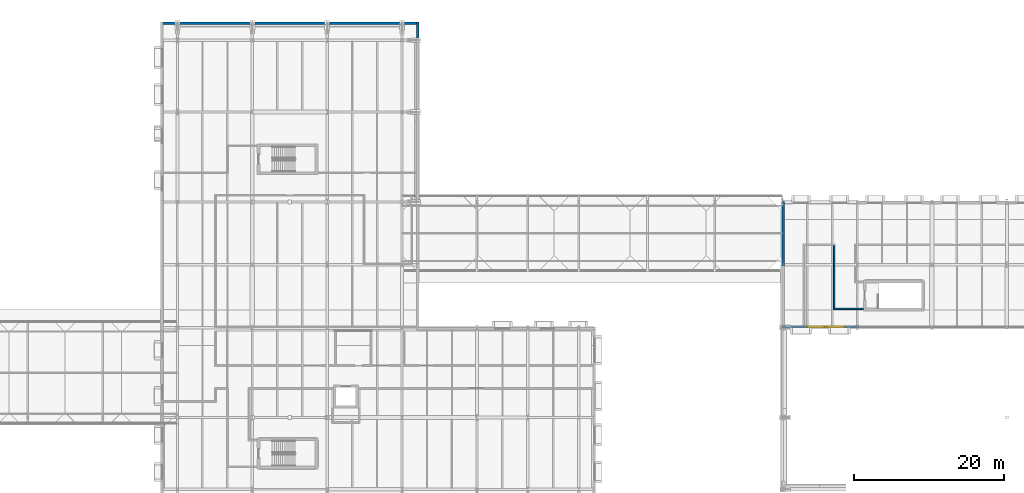
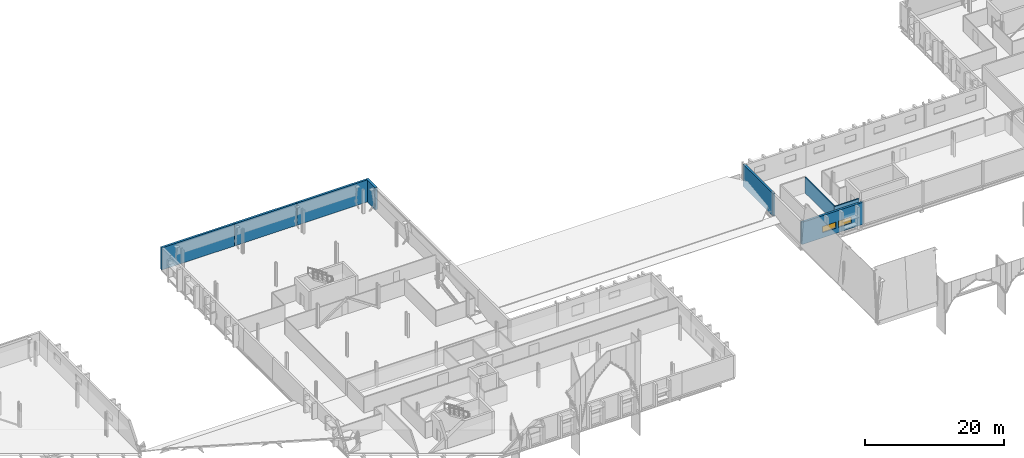
# One storey, part 67 of 90: 8 walls, 2 windows, 2 openings.
"""IFC4 building model written with IfcOpenShell, lengths in metres."""

from ifc_helpers import new_model, si_unit, direction, frame, frame_2d, origin, place, context, subcontext, project, spatial, rectangle, extrude, material, layer, layer_set, type_object, element, fill, save


model = new_model("IFC4")

# Units and contexts
model_context = context("Model", 3, precision=1e-05, world=origin(), true_north=direction((0.0, 1.0)))
body_context = subcontext(model_context, "Body", "Model", "MODEL_VIEW")
ifc_project = project(units=[si_unit("LENGTHUNIT", "METRE"), si_unit("AREAUNIT", "SQUARE_METRE"), si_unit("VOLUMEUNIT", "CUBIC_METRE"), si_unit("PLANEANGLEUNIT", "RADIAN"), si_unit("MASSUNIT", "GRAM", prefix="KILO")], contexts=[model_context])

# Site, building, storey
site_placement = place(None, origin())
site = spatial("IfcSite", under=ifc_project, at=site_placement, CompositionType="ELEMENT")
building_placement = place(site_placement, origin())
building = spatial("IfcBuilding", under=site, at=building_placement, Name="Zereglee Splitstone Museum", CompositionType="ELEMENT")
storey_placement = place(building_placement, frame((0.0, 0.0, 4.800048828125)))
storey = spatial("IfcBuildingStorey", under=building, at=storey_placement, Name="L01", CompositionType="ELEMENT", Elevation=4.800048828125)

# Walls
ifc_material_1 = material(Name="Precast concrete C40/50", Category="concrete")
ifc_layer_1 = layer(ifc_material_1, 0.35009765625)
ifc_layer_set_1 = layer_set([ifc_layer_1], Name="Precast concrete C40/50")
wall_type_1 = type_object("IfcWallType", Name="EW-01", PredefinedType="STANDARD", material=ifc_layer_set_1)
wall_1_placement = place(storey_placement, frame((207.280029296875, 59.820068359375, 0.0), z_axis=(0.0, 0.0, 1.0), x_axis=(0.0, 1.0, 0.0)))
element("IfcWall", 1, at=wall_1_placement, inside=storey, type_object=wall_type_1, Name="Exterior Backup Wall RC4-EW-L01-0034", PredefinedType="STANDARD", context=body_context, shape_type="SweptSolid", body=[
    extrude(rectangle(XDim=2.639892578125, YDim=0.35009765625, at=frame_2d((1.31982421875, 0.0))), origin(), (0.0, 0.0, 1.0), 3.89990234375),
])
wall_2_placement = place(storey_placement, frame((207.4599609375, 62.280029296875, 0.0), z_axis=(0.0, 0.0, 1.0), x_axis=(-1.0, 0.0, 0.0)))
element("IfcWall", 2, at=wall_2_placement, inside=storey, type_object=wall_type_1, Name="Exterior Backup Wall RC4-EW-L01-0035", PredefinedType="STANDARD", context=body_context, shape_type="SweptSolid", body=[
    extrude(rectangle(XDim=12.43994140625, YDim=0.35009765625, at=frame_2d((6.219970703125, 0.0))), origin(), (0.0, 0.0, 1.0), 3.89990234375),
])
wall_3_placement = place(storey_placement, frame((195.3798828125, 62.280029296875, 0.0), z_axis=(0.0, 0.0, 1.0), x_axis=(-1.0, 0.0, 0.0)))
element("IfcWall", 3, at=wall_3_placement, inside=storey, type_object=wall_type_1, Name="Exterior Backup Wall RC4-EW-L01-0036", PredefinedType="STANDARD", context=body_context, shape_type="SweptSolid", body=[
    extrude(rectangle(XDim=10.35986328125, YDim=0.35009765625, at=frame_2d((5.179931640625, 0.0))), origin(), (0.0, 0.0, 1.0), 3.89990234375),
])
wall_4_placement = place(storey_placement, frame((185.3798828125, 62.280029296875, 0.0), z_axis=(0.0, 0.0, 1.0), x_axis=(-1.0, 0.0, 0.0)))
element("IfcWall", 4, at=wall_4_placement, inside=storey, type_object=wall_type_1, Name="Exterior Backup Wall RC4-EW-L01-0037", PredefinedType="STANDARD", context=body_context, shape_type="SweptSolid", body=[
    extrude(rectangle(XDim=12.43994140625, YDim=0.35009765625, at=frame_2d((6.219970703125, 0.0))), origin(), (0.0, 0.0, 1.0), 3.89990234375),
])
wall_5_placement = place(storey_placement, frame((256.1201171875, 38.4599609375, 0.0), z_axis=(0.0, 0.0, 1.0), x_axis=(0.0, -1.0, 0.0)))
element("IfcWall", 5, at=wall_5_placement, inside=storey, type_object=wall_type_1, Name="Exterior Backup Wall RC4-EW-L01-0090", PredefinedType="STANDARD", context=body_context, shape_type="SweptSolid", body=[
    extrude(rectangle(XDim=8.639892578125, YDim=0.35009765625, at=frame_2d((4.31982421875, 0.0))), origin(), (0.0, 0.0, 1.0), 3.89990234375),
])

# Wall, openings, windows
wall_6_placement = place(storey_placement, frame((255.93994140625, 21.719970703125, 0.0), z_axis=(0.0, 0.0, 1.0), x_axis=(1.0, 0.0, 0.0)))
wall_6 = element("IfcWall", 6, at=wall_6_placement, inside=storey, type_object=wall_type_1, Name="Exterior Backup Wall RC4-EW-L01-0092", PredefinedType="STANDARD", context=body_context, shape_type="SweptSolid", body=[
    extrude(rectangle(XDim=10.239990234375, YDim=0.35009765625, at=frame_2d((5.1201171875, 0.0))), origin(), (0.0, 0.0, 1.0), 3.89990234375),
])
opening_1_placement = place(wall_6_placement, frame((3.4599609375, 0.0, 0.89990234375)))
opening_1 = element("IfcOpeningElement", 7, at=opening_1_placement, cuts=wall_6, Name="Opening EW-W13", PredefinedType="OPENING", context=body_context, shape_type="SweptSolid", body=[
    extrude(rectangle(XDim=2.199951171875, YDim=1.10009765625, at=frame_2d((1.10009765625, 0.550048828125))), frame((0.0, 0.18994140625, 0.0), z_axis=(0.0, -1.0, 0.0), x_axis=(1.0, 0.0, 0.0)), (0.0, 0.0, 1.0), 0.3798828125),
])
opening_2_placement = place(wall_6_placement, frame((6.080078125, 0.0, 0.89990234375)))
opening_2 = element("IfcOpeningElement", 8, at=opening_2_placement, cuts=wall_6, Name="Opening EW-W13", PredefinedType="OPENING", context=body_context, shape_type="SweptSolid", body=[
    extrude(rectangle(XDim=2.199951171875, YDim=1.10009765625, at=frame_2d((1.10009765625, 0.550048828125))), frame((0.0, 0.18994140625, 0.0), z_axis=(0.0, -1.0, 0.0), x_axis=(1.0, 0.0, 0.0)), (0.0, 0.0, 1.0), 0.3798828125),
])
ifc_material_2 = material(Name="Thermally broken aluminium frame with triple low-e glazing", Category="aluminium")
window_type = type_object("IfcWindowType", Name="EW-W13", PartitioningType="DOUBLE_PANEL_HORIZONTAL", PredefinedType="WINDOW", material=ifc_material_2)
window_1_placement = place(opening_1_placement, origin())
window_1 = element("IfcWindow", 9, at=window_1_placement, inside=storey, type_object=window_type, Name="Mughal Deep-Reveal Gallery Window L01-0050", OverallHeight=1.10009765625, OverallWidth=2.199951171875, PartitioningType="SINGLE_PANEL", PredefinedType="WINDOW", context=body_context, shape_type="SweptSolid", body=[
    extrude(rectangle(XDim=2.199951171875, YDim=1.10009765625, at=frame_2d((1.10009765625, 0.550048828125))), frame((0.0, 0.030029296875, 0.0), z_axis=(0.0, -1.0, 0.0), x_axis=(1.0, 0.0, 0.0)), (0.0, 0.0, 1.0), 0.06005859375),
])
fill(opening_1, window_1)
window_2_placement = place(opening_2_placement, origin())
window_2 = element("IfcWindow", 10, at=window_2_placement, inside=storey, type_object=window_type, Name="Mughal Deep-Reveal Gallery Window L01-0051", OverallHeight=1.10009765625, OverallWidth=2.199951171875, PartitioningType="SINGLE_PANEL", PredefinedType="WINDOW", context=body_context, shape_type="SweptSolid", body=[
    extrude(rectangle(XDim=2.199951171875, YDim=1.10009765625, at=frame_2d((1.10009765625, 0.550048828125))), frame((0.0, 0.030029296875, 0.0), z_axis=(0.0, -1.0, 0.0), x_axis=(1.0, 0.0, 0.0)), (0.0, 0.0, 1.0), 0.06005859375),
])
fill(opening_2, window_2)

# Walls
ifc_material_3 = material(Name="Gypsum board on acoustic steel stud", Category="steel")
ifc_layer_2 = layer(ifc_material_3, 0.18994140625)
ifc_layer_set_2 = layer_set([ifc_layer_2], Name="Gypsum board on acoustic steel stud")
wall_type_2 = type_object("IfcWallType", Name="IW-02", PredefinedType="PARTITIONING", material=ifc_layer_set_2)
wall_7_placement = place(storey_placement, frame((262.824951171875, 24.1201171875, 0.0), z_axis=(0.0, 0.0, 1.0), x_axis=(1.0, 0.0, 0.0)))
element("IfcWall", 11, at=wall_7_placement, inside=storey, type_object=wall_type_2, Name="Interior Partition L01-0362 (Auditorium Upper Foyer)", PredefinedType="PARTITIONING", context=body_context, shape_type="SweptSolid", body=[
    extrude(rectangle(XDim=4.01513671875, YDim=0.18994140625, at=frame_2d((2.007568359375, 0.0))), origin(), (0.0, 0.0, 1.0), 2.760009765625),
])
wall_8_placement = place(storey_placement, frame((262.919921875, 24.215087890625, 0.0), z_axis=(0.0, 0.0, 1.0), x_axis=(0.0, 1.0, 0.0)))
element("IfcWall", 12, at=wall_8_placement, inside=storey, type_object=wall_type_2, Name="Interior Partition L01-0439 (Auditorium Upper Foyer)", PredefinedType="PARTITIONING", context=body_context, shape_type="SweptSolid", body=[
    extrude(rectangle(XDim=8.369873046875, YDim=0.18994140625, at=frame_2d((4.18505859375, 0.0))), origin(), (0.0, 0.0, 1.0), 2.760009765625),
])

save(model, "model.ifc")
